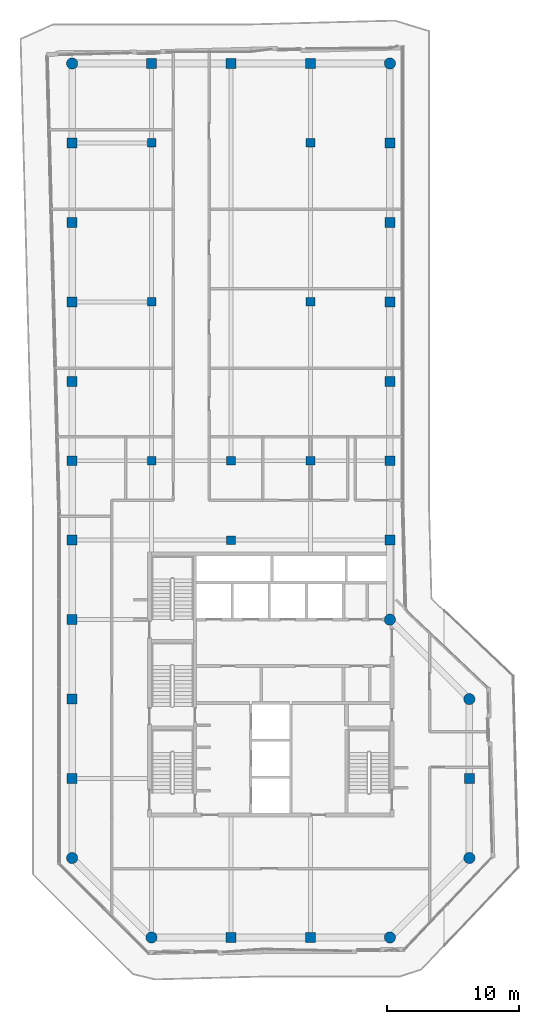
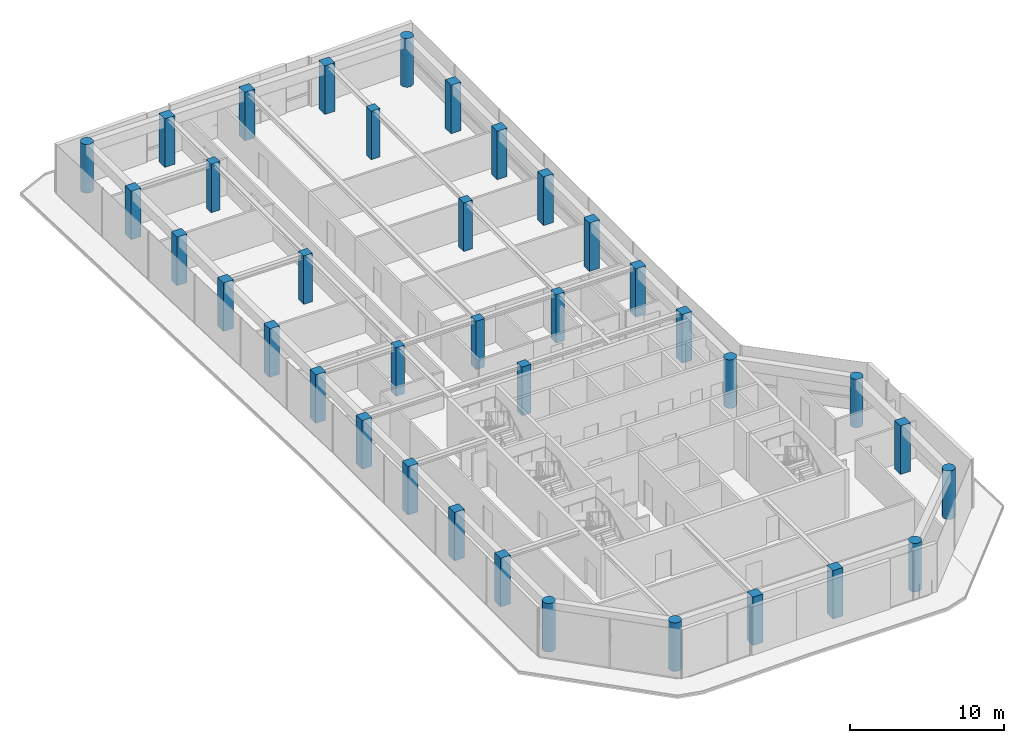
# One storey, part 1 of 20: 37 columns.
"""IFC4 building model written with IfcOpenShell, lengths in metres."""

from ifc_helpers import new_model, si_unit, direction, frame, origin, origin_2d, place, context, subcontext, project, spatial, rectangle, circle, extrude, material, material_profile, profile_set, type_object, element, save


model = new_model("IFC4")

# Units and contexts
model_context = context("Model", 3, precision=1e-05, world=origin(), true_north=direction((0.0, 1.0)))
body_context = subcontext(model_context, "Body", "Model", "MODEL_VIEW")
ifc_project = project(units=[si_unit("LENGTHUNIT", "METRE"), si_unit("AREAUNIT", "SQUARE_METRE"), si_unit("VOLUMEUNIT", "CUBIC_METRE"), si_unit("PLANEANGLEUNIT", "RADIAN"), si_unit("MASSUNIT", "GRAM", prefix="KILO")], contexts=[model_context])

# Site, building, storey
site_placement = place(None, origin())
site = spatial("IfcSite", under=ifc_project, at=site_placement, CompositionType="ELEMENT")
building_placement = place(site_placement, origin())
building = spatial("IfcBuilding", under=site, at=building_placement, Name="Welwitschia Terrace Campus", CompositionType="ELEMENT")
storey_placement = place(building_placement, frame((0.0, 0.0, 293.60009765625)))
storey = spatial("IfcBuildingStorey", under=building, at=storey_placement, Name="L65", CompositionType="ELEMENT", Elevation=293.60009765625)

# Columns
ifc_material_1 = material(Name="Concrete C50/60", Category="concrete")
ifc_material_profile_1 = material_profile(ifc_material_1, circle(Radius=0.425048828125, at=origin_2d()))
ifc_profile_set_1 = profile_set([ifc_material_profile_1], Name="Concrete C50/60")
column_type_1 = type_object("IfcColumnType", Name="Corner column 850 dia", PredefinedType="COLUMN", material=ifc_profile_set_1)
for number, where, z_axis, x_axis, name in (
    (1, (0.0, 2.0, 0.0), (0.0, 0.0, 1.0), (1.0, 0.0, 0.0), "Column C41"),
    (2, (0.0, 62.0, 0.0), (0.0, 0.0, 1.0), (1.0, 0.0, 0.0), "Column C41"),
    (3, (6.0, -4.0, 0.0), (0.0, 0.0, 1.0), (1.0, 0.0, 0.0), "Column C41"),
    (4, (24.0, -4.0, 0.0), (0.0, 0.0, 1.0), (1.0, 0.0, 0.0), "Column C41"),
    (5, (24.0, 20.0, 0.0), (0.0, 0.0, 1.0), (1.0, 0.0, 0.0), "Column C41"),
    (6, (24.0, 62.0, 0.0), (0.0, 0.0, 1.0), (1.0, 0.0, 0.0), "Column C41"),
    (7, (30.0, 2.0, 0.0), (0.0, 0.0, 1.0), (1.0, 0.0, 0.0), "Column C41"),
    (8, (30.0, 14.0, 0.0), (0.0, 0.0, 1.0), (1.0, 0.0, 0.0), "Column C41"),
):
    element("IfcColumn", number, at=place(storey_placement, frame(where, z_axis=z_axis, x_axis=x_axis)), inside=storey, type_object=column_type_1, Name=name, PredefinedType="COLUMN", context=body_context, shape_type="SweptSolid", body=[
        extrude(circle(Radius=0.425048828125, at=origin_2d()), origin(), (0.0, 0.0, 1.0), 3.849853515625),
    ])
ifc_material_2 = material(Name="Concrete C50/60", Category="concrete")
ifc_material_profile_2 = material_profile(ifc_material_2, rectangle(XDim=0.64990234375, YDim=0.64990234375, at=origin_2d()))
ifc_profile_set_2 = profile_set([ifc_material_profile_2], Name="Concrete C50/60")
column_type_2 = type_object("IfcColumnType", Name="Interior column 650x650", PredefinedType="COLUMN", material=ifc_profile_set_2)
for number, where, z_axis, x_axis, name in (
    (9, (6.0, 32.0, 0.0), (0.0, 0.0, 1.0), (1.0, 0.0, 0.0), "Column C43"),
    (10, (6.0, 44.0, 0.0), (0.0, 0.0, 1.0), (1.0, 0.0, 0.0), "Column C43"),
    (11, (6.0, 56.0, 0.0), (0.0, 0.0, 1.0), (1.0, 0.0, 0.0), "Column C43"),
    (12, (12.0, 26.0, 0.0), (0.0, 0.0, 1.0), (1.0, 0.0, 0.0), "Column C43"),
    (13, (12.0, 32.0, 0.0), (0.0, 0.0, 1.0), (1.0, 0.0, 0.0), "Column C43"),
    (14, (18.0, 32.0, 0.0), (0.0, 0.0, 1.0), (1.0, 0.0, 0.0), "Column C43"),
    (15, (18.0, 44.0, 0.0), (0.0, 0.0, 1.0), (1.0, 0.0, 0.0), "Column C43"),
    (16, (18.0, 56.0, 0.0), (0.0, 0.0, 1.0), (1.0, 0.0, 0.0), "Column C43"),
):
    element("IfcColumn", number, at=place(storey_placement, frame(where, z_axis=z_axis, x_axis=x_axis)), inside=storey, type_object=column_type_2, Name=name, PredefinedType="COLUMN", context=body_context, shape_type="SweptSolid", body=[
        extrude(rectangle(XDim=0.64990234375, YDim=0.64990234375, at=origin_2d()), origin(), (0.0, 0.0, 1.0), 3.849853515625),
    ])
ifc_material_3 = material(Name="Concrete C50/60", Category="concrete")
ifc_material_profile_3 = material_profile(ifc_material_3, rectangle(XDim=0.75, YDim=0.75, at=origin_2d()))
ifc_profile_set_3 = profile_set([ifc_material_profile_3], Name="Concrete C50/60")
column_type_3 = type_object("IfcColumnType", Name="Ring column 750x750", PredefinedType="COLUMN", material=ifc_profile_set_3)
for number, where, z_axis, x_axis, name in (
    (17, (0.0, 8.0, 0.0), (0.0, 0.0, 1.0), (1.0, 0.0, 0.0), "Column C42"),
    (18, (0.0, 14.0, 0.0), (0.0, 0.0, 1.0), (1.0, 0.0, 0.0), "Column C42"),
    (19, (0.0, 20.0, 0.0), (0.0, 0.0, 1.0), (1.0, 0.0, 0.0), "Column C42"),
    (20, (0.0, 26.0, 0.0), (0.0, 0.0, 1.0), (1.0, 0.0, 0.0), "Column C42"),
    (21, (0.0, 32.0, 0.0), (0.0, 0.0, 1.0), (1.0, 0.0, 0.0), "Column C42"),
    (22, (0.0, 38.0, 0.0), (0.0, 0.0, 1.0), (1.0, 0.0, 0.0), "Column C42"),
    (23, (0.0, 44.0, 0.0), (0.0, 0.0, 1.0), (1.0, 0.0, 0.0), "Column C42"),
    (24, (0.0, 50.0, 0.0), (0.0, 0.0, 1.0), (1.0, 0.0, 0.0), "Column C42"),
    (25, (0.0, 56.0, 0.0), (0.0, 0.0, 1.0), (1.0, 0.0, 0.0), "Column C42"),
    (26, (6.0, 62.0, 0.0), (0.0, 0.0, 1.0), (1.0, 0.0, 0.0), "Column C42"),
    (27, (12.0, -4.0, 0.0), (0.0, 0.0, 1.0), (1.0, 0.0, 0.0), "Column C42"),
    (28, (12.0, 62.0, 0.0), (0.0, 0.0, 1.0), (1.0, 0.0, 0.0), "Column C42"),
    (29, (18.0, -4.0, 0.0), (0.0, 0.0, 1.0), (1.0, 0.0, 0.0), "Column C42"),
    (30, (18.0, 62.0, 0.0), (0.0, 0.0, 1.0), (1.0, 0.0, 0.0), "Column C42"),
    (31, (24.0, 26.0, 0.0), (0.0, 0.0, 1.0), (1.0, 0.0, 0.0), "Column C42"),
    (32, (24.0, 32.0, 0.0), (0.0, 0.0, 1.0), (1.0, 0.0, 0.0), "Column C42"),
    (33, (24.0, 38.0, 0.0), (0.0, 0.0, 1.0), (1.0, 0.0, 0.0), "Column C42"),
    (34, (24.0, 44.0, 0.0), (0.0, 0.0, 1.0), (1.0, 0.0, 0.0), "Column C42"),
    (35, (24.0, 50.0, 0.0), (0.0, 0.0, 1.0), (1.0, 0.0, 0.0), "Column C42"),
    (36, (24.0, 56.0, 0.0), (0.0, 0.0, 1.0), (1.0, 0.0, 0.0), "Column C42"),
    (37, (30.0, 8.0, 0.0), (0.0, 0.0, 1.0), (1.0, 0.0, 0.0), "Column C42"),
):
    element("IfcColumn", number, at=place(storey_placement, frame(where, z_axis=z_axis, x_axis=x_axis)), inside=storey, type_object=column_type_3, Name=name, PredefinedType="COLUMN", context=body_context, shape_type="SweptSolid", body=[
        extrude(rectangle(XDim=0.75, YDim=0.75, at=origin_2d()), origin(), (0.0, 0.0, 1.0), 3.849853515625),
    ])

save(model, "model.ifc")
